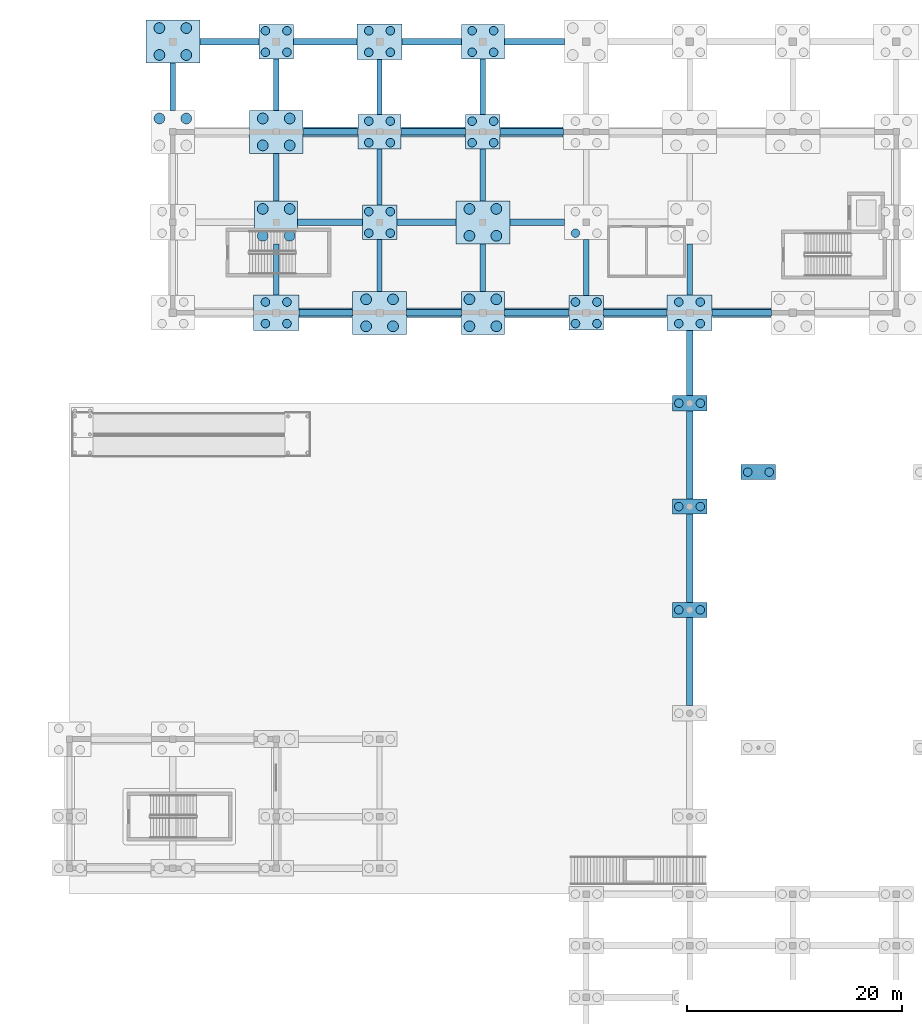
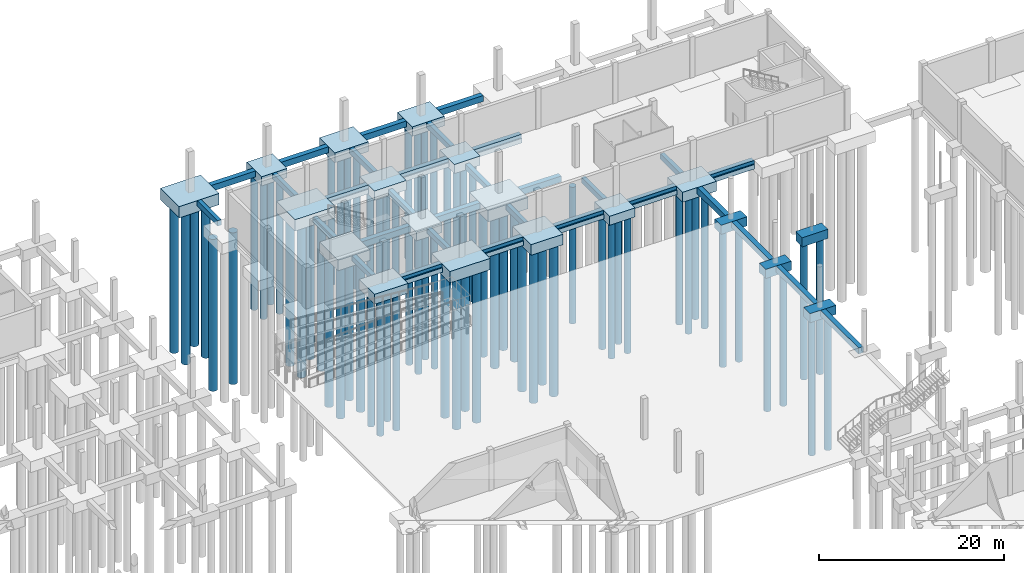
# One storey, part 6 of 41: 71 piles, 58 footings.
"""IFC4 building model written with IfcOpenShell, lengths in metres."""

from ifc_helpers import new_model, si_unit, direction, frame, origin, origin_2d, place, context, subcontext, project, spatial, rectangle, circle, extrude, material, material_profile, profile_set, type_object, element, save


model = new_model("IFC4")

# Units and contexts
model_context = context("Model", 3, precision=1e-05, world=origin(), true_north=direction((0.0, 1.0)))
body_context = subcontext(model_context, "Body", "Model", "MODEL_VIEW")
ifc_project = project(units=[si_unit("LENGTHUNIT", "METRE"), si_unit("AREAUNIT", "SQUARE_METRE"), si_unit("VOLUMEUNIT", "CUBIC_METRE"), si_unit("PLANEANGLEUNIT", "RADIAN"), si_unit("MASSUNIT", "GRAM", prefix="KILO")], contexts=[model_context])

# Site, building, storey
site_placement = place(None, origin())
site = spatial("IfcSite", under=ifc_project, at=site_placement, CompositionType="ELEMENT")
building_placement = place(site_placement, origin())
building = spatial("IfcBuilding", under=site, at=building_placement, Name="Shalvenor Court Art Gallery", CompositionType="ELEMENT")
storey_placement = place(building_placement, frame((0.0, 0.0, -5.39990234375)))
storey = spatial("IfcBuildingStorey", under=building, at=storey_placement, Name="B01", CompositionType="ELEMENT", Elevation=-5.39990234375)

# Footings
ifc_material_1 = material(Name="Concrete C35/45", Category="concrete")
footing_type_1 = type_object("IfcFootingType", Name="GB-01", PredefinedType="FOOTING_BEAM", material=ifc_material_1)
for number, where, z_axis, x_axis, name in (
    (1, (105.60009765625, 64.800048828125, -0.80029296875), (0.0, 0.0, 1.0), (0.0, 1.0, 0.0), "B01 Ground Tie Beam FTG-277"),
    (2, (105.60009765625, 74.39990234375, -0.80029296875), (0.0, 0.0, 1.0), (0.0, 1.0, 0.0), "B01 Ground Tie Beam FTG-278"),
    (3, (105.60009765625, 84.0, -0.80029296875), (0.0, 0.0, 1.0), (0.0, 1.0, 0.0), "B01 Ground Tie Beam FTG-279"),
):
    element("IfcFooting", number, at=place(storey_placement, frame(where, z_axis=z_axis, x_axis=x_axis)), inside=storey, type_object=footing_type_1, Name=name, PredefinedType="FOOTING_BEAM", context=body_context, shape_type="SweptSolid", body=[
        extrude(rectangle(XDim=8.199951171875, YDim=0.60009765625, at=origin_2d()), origin(), (0.0, 0.0, 1.0), 0.800048828125),
    ])
footing_1_placement = place(storey_placement, frame((105.60009765625, 92.52490234375, -0.80029296875), z_axis=(0.0, 0.0, 1.0), x_axis=(0.0, 1.0, 0.0)))
element("IfcFooting", 4, at=footing_1_placement, inside=storey, type_object=footing_type_1, Name="B01 Ground Tie Beam FTG-280", PredefinedType="FOOTING_BEAM", context=body_context, shape_type="SweptSolid", body=[
    extrude(rectangle(XDim=6.050048828125, YDim=0.60009765625, at=origin_2d()), origin(), (0.0, 0.0, 1.0), 0.800048828125),
])
footing_2_placement = place(storey_placement, frame((71.800048828125, 97.199951171875, -0.80029296875), z_axis=(0.0, 0.0, 1.0), x_axis=(1.0, 0.0, 0.0)))
element("IfcFooting", 5, at=footing_2_placement, inside=storey, type_object=footing_type_1, Name="B01 Ground Tie Beam FTG-435", PredefinedType="FOOTING_BEAM", context=body_context, shape_type="SweptSolid", body=[
    extrude(rectangle(XDim=5.0, YDim=0.60009765625, at=origin_2d()), origin(), (0.0, 0.0, 1.0), 0.800048828125),
])
footing_3_placement = place(storey_placement, frame((81.85009765625, 97.199951171875, -0.80029296875), z_axis=(0.0, 0.0, 1.0), x_axis=(1.0, 0.0, 0.0)))
element("IfcFooting", 6, at=footing_3_placement, inside=storey, type_object=footing_type_1, Name="B01 Ground Tie Beam FTG-436", PredefinedType="FOOTING_BEAM", context=body_context, shape_type="SweptSolid", body=[
    extrude(rectangle(XDim=5.10009765625, YDim=0.60009765625, at=origin_2d()), origin(), (0.0, 0.0, 1.0), 0.800048828125),
])
footing_4_placement = place(storey_placement, frame((91.39990234375, 97.199951171875, -0.80029296875), z_axis=(0.0, 0.0, 1.0), x_axis=(1.0, 0.0, 0.0)))
element("IfcFooting", 7, at=footing_4_placement, inside=storey, type_object=footing_type_1, Name="B01 Ground Tie Beam FTG-437", PredefinedType="FOOTING_BEAM", context=body_context, shape_type="SweptSolid", body=[
    extrude(rectangle(XDim=6.0, YDim=0.60009765625, at=origin_2d()), origin(), (0.0, 0.0, 1.0), 0.800048828125),
])
footing_5_placement = place(storey_placement, frame((100.550048828125, 97.199951171875, -0.80029296875), z_axis=(0.0, 0.0, 1.0), x_axis=(1.0, 0.0, 0.0)))
element("IfcFooting", 8, at=footing_5_placement, inside=storey, type_object=footing_type_1, Name="B01 Ground Tie Beam FTG-438", PredefinedType="FOOTING_BEAM", context=body_context, shape_type="SweptSolid", body=[
    extrude(rectangle(XDim=5.89990234375, YDim=0.60009765625, at=origin_2d()), origin(), (0.0, 0.0, 1.0), 0.800048828125),
])
footing_6_placement = place(storey_placement, frame((110.449951171875, 97.199951171875, -0.80029296875), z_axis=(0.0, 0.0, 1.0), x_axis=(1.0, 0.0, 0.0)))
element("IfcFooting", 9, at=footing_6_placement, inside=storey, type_object=footing_type_1, Name="B01 Ground Tie Beam FTG-439", PredefinedType="FOOTING_BEAM", context=body_context, shape_type="SweptSolid", body=[
    extrude(rectangle(XDim=5.5, YDim=0.60009765625, at=origin_2d()), origin(), (0.0, 0.0, 1.0), 0.800048828125),
])
footing_7_placement = place(storey_placement, frame((72.199951171875, 105.60009765625, -1.22021484375), z_axis=(0.0, 0.0, 1.0), x_axis=(1.0, 0.0, 0.0)))
element("IfcFooting", 10, at=footing_7_placement, inside=storey, type_object=footing_type_1, Name="B01 Ground Tie Beam FTG-452", PredefinedType="FOOTING_BEAM", context=body_context, shape_type="SweptSolid", body=[
    extrude(rectangle(XDim=6.0, YDim=0.60009765625, at=origin_2d()), origin(), (0.0, 0.0, 1.0), 0.800048828125),
])
footing_8_placement = place(storey_placement, frame((81.14990234375, 105.60009765625, -1.22021484375), z_axis=(0.0, 0.0, 1.0), x_axis=(1.0, 0.0, 0.0)))
element("IfcFooting", 11, at=footing_8_placement, inside=storey, type_object=footing_type_1, Name="B01 Ground Tie Beam FTG-453", PredefinedType="FOOTING_BEAM", context=body_context, shape_type="SweptSolid", body=[
    extrude(rectangle(XDim=5.5, YDim=0.60009765625, at=origin_2d()), origin(), (0.0, 0.0, 1.0), 0.800048828125),
])
for number, where, z_axis, x_axis, name in (
    (12, (91.449951171875, 105.60009765625, -1.22021484375), (0.0, 0.0, 1.0), (1.0, 0.0, 0.0), "B01 Ground Tie Beam FTG-454"),
    (13, (72.25, 114.0, -0.80029296875), (0.0, 0.0, 1.0), (1.0, 0.0, 0.0), "B01 Ground Tie Beam FTG-459"),
):
    element("IfcFooting", number, at=place(storey_placement, frame(where, z_axis=z_axis, x_axis=x_axis)), inside=storey, type_object=footing_type_1, Name=name, PredefinedType="FOOTING_BEAM", context=body_context, shape_type="SweptSolid", body=[
        extrude(rectangle(XDim=5.10009765625, YDim=0.60009765625, at=origin_2d()), origin(), (0.0, 0.0, 1.0), 0.800048828125),
    ])
footing_9_placement = place(storey_placement, frame((81.800048828125, 114.0, -0.80029296875), z_axis=(0.0, 0.0, 1.0), x_axis=(1.0, 0.0, 0.0)))
element("IfcFooting", 14, at=footing_9_placement, inside=storey, type_object=footing_type_1, Name="B01 Ground Tie Beam FTG-460", PredefinedType="FOOTING_BEAM", context=body_context, shape_type="SweptSolid", body=[
    extrude(rectangle(XDim=6.0, YDim=0.60009765625, at=origin_2d()), origin(), (0.0, 0.0, 1.0), 0.800048828125),
])
footing_10_placement = place(storey_placement, frame((90.949951171875, 114.0, -0.80029296875), z_axis=(0.0, 0.0, 1.0), x_axis=(1.0, 0.0, 0.0)))
element("IfcFooting", 15, at=footing_10_placement, inside=storey, type_object=footing_type_1, Name="B01 Ground Tie Beam FTG-461", PredefinedType="FOOTING_BEAM", context=body_context, shape_type="SweptSolid", body=[
    extrude(rectangle(XDim=5.89990234375, YDim=0.60009765625, at=origin_2d()), origin(), (0.0, 0.0, 1.0), 0.800048828125),
])
footing_11_placement = place(storey_placement, frame((62.85009765625, 122.39990234375, -0.80029296875), z_axis=(0.0, 0.0, 1.0), x_axis=(1.0, 0.0, 0.0)))
element("IfcFooting", 16, at=footing_11_placement, inside=storey, type_object=footing_type_1, Name="B01 Ground Tie Beam FTG-469", PredefinedType="FOOTING_BEAM", context=body_context, shape_type="SweptSolid", body=[
    extrude(rectangle(XDim=5.5, YDim=0.60009765625, at=origin_2d()), origin(), (0.0, 0.0, 1.0), 0.800048828125),
])
footing_12_placement = place(storey_placement, frame((71.75, 122.39990234375, -0.80029296875), z_axis=(0.0, 0.0, 1.0), x_axis=(1.0, 0.0, 0.0)))
element("IfcFooting", 17, at=footing_12_placement, inside=storey, type_object=footing_type_1, Name="B01 Ground Tie Beam FTG-470", PredefinedType="FOOTING_BEAM", context=body_context, shape_type="SweptSolid", body=[
    extrude(rectangle(XDim=5.89990234375, YDim=0.60009765625, at=origin_2d()), origin(), (0.0, 0.0, 1.0), 0.800048828125),
])
footing_13_placement = place(storey_placement, frame((81.64990234375, 122.39990234375, -0.80029296875), z_axis=(0.0, 0.0, 1.0), x_axis=(1.0, 0.0, 0.0)))
element("IfcFooting", 18, at=footing_13_placement, inside=storey, type_object=footing_type_1, Name="B01 Ground Tie Beam FTG-471", PredefinedType="FOOTING_BEAM", context=body_context, shape_type="SweptSolid", body=[
    extrude(rectangle(XDim=5.5, YDim=0.60009765625, at=origin_2d()), origin(), (0.0, 0.0, 1.0), 0.800048828125),
])
footing_14_placement = place(storey_placement, frame((91.199951171875, 122.39990234375, -0.80029296875), z_axis=(0.0, 0.0, 1.0), x_axis=(1.0, 0.0, 0.0)))
element("IfcFooting", 19, at=footing_14_placement, inside=storey, type_object=footing_type_1, Name="B01 Ground Tie Beam FTG-472", PredefinedType="FOOTING_BEAM", context=body_context, shape_type="SweptSolid", body=[
    extrude(rectangle(XDim=5.60009765625, YDim=0.60009765625, at=origin_2d()), origin(), (0.0, 0.0, 1.0), 0.800048828125),
])
ifc_material_2 = material(Name="Concrete C35/45", Category="concrete")
footing_type_2 = type_object("IfcFootingType", Name="GB-02", PredefinedType="FOOTING_BEAM", material=ifc_material_2)
footing_15_placement = place(storey_placement, frame((57.60009765625, 118.199951171875, -0.7001953125), z_axis=(0.0, 0.0, 1.0), x_axis=(0.0, 1.0, 0.0)))
element("IfcFooting", 20, at=footing_15_placement, inside=storey, type_object=footing_type_2, Name="B01 Ground Tie Beam FTG-241", PredefinedType="FOOTING_BEAM", context=body_context, shape_type="SweptSolid", body=[
    extrude(rectangle(XDim=4.39990234375, YDim=0.5, at=origin_2d()), origin(), (0.0, 0.0, 1.0), 0.699951171875),
])
footing_16_placement = place(storey_placement, frame((67.199951171875, 101.22509765625, -1.1201171875), z_axis=(0.0, 0.0, 1.0), x_axis=(0.0, 1.0, 0.0)))
element("IfcFooting", 21, at=footing_16_placement, inside=storey, type_object=footing_type_2, Name="B01 Ground Tie Beam FTG-247", PredefinedType="FOOTING_BEAM", context=body_context, shape_type="SweptSolid", body=[
    extrude(rectangle(XDim=4.75, YDim=0.5, at=origin_2d()), origin(), (0.0, 0.0, 1.0), 0.699951171875),
])
footing_17_placement = place(storey_placement, frame((67.199951171875, 109.800048828125, -1.1201171875), z_axis=(0.0, 0.0, 1.0), x_axis=(0.0, 1.0, 0.0)))
element("IfcFooting", 22, at=footing_17_placement, inside=storey, type_object=footing_type_2, Name="B01 Ground Tie Beam FTG-248", PredefinedType="FOOTING_BEAM", context=body_context, shape_type="SweptSolid", body=[
    extrude(rectangle(XDim=4.39990234375, YDim=0.5, at=origin_2d()), origin(), (0.0, 0.0, 1.0), 0.699951171875),
])
for number, where, z_axis, x_axis, name in (
    (23, (67.199951171875, 118.39990234375, -0.7001953125), (0.0, 0.0, 1.0), (0.0, 1.0, 0.0), "B01 Ground Tie Beam FTG-249"),
    (24, (76.800048828125, 101.60009765625, -1.1201171875), (0.0, 0.0, 1.0), (0.0, 1.0, 0.0), "B01 Ground Tie Beam FTG-252"),
):
    element("IfcFooting", number, at=place(storey_placement, frame(where, z_axis=z_axis, x_axis=x_axis)), inside=storey, type_object=footing_type_2, Name=name, PredefinedType="FOOTING_BEAM", context=body_context, shape_type="SweptSolid", body=[
        extrude(rectangle(XDim=4.800048828125, YDim=0.5, at=origin_2d()), origin(), (0.0, 0.0, 1.0), 0.699951171875),
    ])
footing_18_placement = place(storey_placement, frame((76.800048828125, 109.800048828125, -1.1201171875), z_axis=(0.0, 0.0, 1.0), x_axis=(0.0, 1.0, 0.0)))
element("IfcFooting", 25, at=footing_18_placement, inside=storey, type_object=footing_type_2, Name="B01 Ground Tie Beam FTG-253", PredefinedType="FOOTING_BEAM", context=body_context, shape_type="SweptSolid", body=[
    extrude(rectangle(XDim=5.199951171875, YDim=0.5, at=origin_2d()), origin(), (0.0, 0.0, 1.0), 0.699951171875),
])
footing_19_placement = place(storey_placement, frame((76.800048828125, 118.175048828125, -0.7001953125), z_axis=(0.0, 0.0, 1.0), x_axis=(0.0, 1.0, 0.0)))
element("IfcFooting", 26, at=footing_19_placement, inside=storey, type_object=footing_type_2, Name="B01 Ground Tie Beam FTG-254", PredefinedType="FOOTING_BEAM", context=body_context, shape_type="SweptSolid", body=[
    extrude(rectangle(XDim=5.14990234375, YDim=0.5, at=origin_2d()), origin(), (0.0, 0.0, 1.0), 0.699951171875),
])
footing_20_placement = place(storey_placement, frame((86.39990234375, 101.39990234375, -1.1201171875), z_axis=(0.0, 0.0, 1.0), x_axis=(0.0, 1.0, 0.0)))
element("IfcFooting", 27, at=footing_20_placement, inside=storey, type_object=footing_type_2, Name="B01 Ground Tie Beam FTG-255", PredefinedType="FOOTING_BEAM", context=body_context, shape_type="SweptSolid", body=[
    extrude(rectangle(XDim=4.39990234375, YDim=0.5, at=origin_2d()), origin(), (0.0, 0.0, 1.0), 0.699951171875),
])
footing_21_placement = place(storey_placement, frame((86.39990234375, 110.0, -1.1201171875), z_axis=(0.0, 0.0, 1.0), x_axis=(0.0, 1.0, 0.0)))
element("IfcFooting", 28, at=footing_21_placement, inside=storey, type_object=footing_type_2, Name="B01 Ground Tie Beam FTG-256", PredefinedType="FOOTING_BEAM", context=body_context, shape_type="SweptSolid", body=[
    extrude(rectangle(XDim=4.800048828125, YDim=0.5, at=origin_2d()), origin(), (0.0, 0.0, 1.0), 0.699951171875),
])
for number, where, z_axis, x_axis, name in (
    (29, (86.39990234375, 118.199951171875, -0.7001953125), (0.0, 0.0, 1.0), (0.0, 1.0, 0.0), "B01 Ground Tie Beam FTG-257"),
    (30, (96.0, 101.39990234375, -1.1201171875), (0.0, 0.0, 1.0), (0.0, 1.0, 0.0), "B01 Ground Tie Beam FTG-265"),
):
    element("IfcFooting", number, at=place(storey_placement, frame(where, z_axis=z_axis, x_axis=x_axis)), inside=storey, type_object=footing_type_2, Name=name, PredefinedType="FOOTING_BEAM", context=body_context, shape_type="SweptSolid", body=[
        extrude(rectangle(XDim=5.199951171875, YDim=0.5, at=origin_2d()), origin(), (0.0, 0.0, 1.0), 0.699951171875),
    ])
footing_22_placement = place(storey_placement, frame((105.60009765625, 101.22509765625, -1.1201171875), z_axis=(0.0, 0.0, 1.0), x_axis=(0.0, 1.0, 0.0)))
element("IfcFooting", 31, at=footing_22_placement, inside=storey, type_object=footing_type_2, Name="B01 Ground Tie Beam FTG-281", PredefinedType="FOOTING_BEAM", context=body_context, shape_type="SweptSolid", body=[
    extrude(rectangle(XDim=4.75, YDim=0.5, at=origin_2d()), origin(), (0.0, 0.0, 1.0), 0.699951171875),
])
ifc_material_3 = material(Name="Concrete C35/45", Category="concrete")
footing_type_3 = type_object("IfcFootingType", Name="PC-01", PredefinedType="PILE_CAP", material=ifc_material_3)
for number, where, z_axis, x_axis, name in (
    (32, (105.60009765625, 69.60009765625, -1.2001953125), (0.0, 0.0, 1.0), (1.0, 0.0, 0.0), "B01 Pile Cap FTG-115"),
    (33, (105.60009765625, 79.199951171875, -1.2001953125), (0.0, 0.0, 1.0), (1.0, 0.0, 0.0), "B01 Pile Cap FTG-116"),
    (34, (105.60009765625, 88.800048828125, -1.2001953125), (0.0, 0.0, 1.0), (1.0, 0.0, 0.0), "B01 Pile Cap FTG-117"),
    (35, (112.0, 82.39990234375, -1.2001953125), (0.0, 0.0, 1.0), (1.0, 0.0, 0.0), "B01 Pool Basin Cap FTG-186"),
):
    element("IfcFooting", number, at=place(storey_placement, frame(where, z_axis=z_axis, x_axis=x_axis)), inside=storey, type_object=footing_type_3, Name=name, PredefinedType="PILE_CAP", context=body_context, shape_type="SweptSolid", body=[
        extrude(rectangle(XDim=3.199951171875, YDim=1.39990234375, at=origin_2d()), origin(), (0.0, 0.0, 1.0), 1.199951171875),
    ])
ifc_material_4 = material(Name="Concrete C35/45", Category="concrete")
footing_type_4 = type_object("IfcFootingType", Name="PC-02", PredefinedType="PILE_CAP", material=ifc_material_4)
for number, where, z_axis, x_axis, name in (
    (36, (67.199951171875, 122.39990234375, -1.2001953125), (0.0, 0.0, 1.0), (1.0, 0.0, 0.0), "B01 Pile Cap FTG-081"),
    (37, (76.800048828125, 105.60009765625, -1.6201171875), (0.0, 0.0, 1.0), (1.0, 0.0, 0.0), "B01 Pile Cap FTG-086"),
    (38, (86.39990234375, 114.0, -1.2001953125), (0.0, 0.0, 1.0), (1.0, 0.0, 0.0), "B01 Pile Cap FTG-091"),
    (39, (96.0, 97.199951171875, -1.2001953125), (0.0, 0.0, 1.0), (1.0, 0.0, 0.0), "B01 Pile Cap FTG-101"),
):
    element("IfcFooting", number, at=place(storey_placement, frame(where, z_axis=z_axis, x_axis=x_axis)), inside=storey, type_object=footing_type_4, Name=name, PredefinedType="PILE_CAP", context=body_context, shape_type="SweptSolid", body=[
        extrude(rectangle(XDim=3.199951171875, YDim=3.199951171875, at=origin_2d()), origin(), (0.0, 0.0, 1.0), 1.199951171875),
    ])
ifc_material_5 = material(Name="Concrete C35/45", Category="concrete")
footing_type_5 = type_object("IfcFootingType", Name="PC-03", PredefinedType="PILE_CAP", material=ifc_material_5)
for number, where, z_axis, x_axis, name in (
    (40, (76.800048828125, 114.0, -1.25), (0.0, 0.0, 1.0), (1.0, 0.0, 0.0), "B01 Pile Cap FTG-087"),
    (41, (86.39990234375, 122.39990234375, -1.25), (0.0, 0.0, 1.0), (1.0, 0.0, 0.0), "B01 Pile Cap FTG-092"),
):
    element("IfcFooting", number, at=place(storey_placement, frame(where, z_axis=z_axis, x_axis=x_axis)), inside=storey, type_object=footing_type_5, Name=name, PredefinedType="PILE_CAP", context=body_context, shape_type="SweptSolid", body=[
        extrude(rectangle(XDim=4.0, YDim=3.199951171875, at=origin_2d()), origin(), (0.0, 0.0, 1.0), 1.25),
    ])
ifc_material_6 = material(Name="Concrete C35/45", Category="concrete")
footing_type_6 = type_object("IfcFootingType", Name="PC-04", PredefinedType="PILE_CAP", material=ifc_material_6)
for number, where, z_axis, x_axis, name in (
    (42, (67.199951171875, 97.199951171875, -1.30029296875), (0.0, 0.0, 1.0), (1.0, 0.0, 0.0), "B01 Pile Cap FTG-078"),
    (43, (76.800048828125, 122.39990234375, -1.30029296875), (0.0, 0.0, 1.0), (1.0, 0.0, 0.0), "B01 Pile Cap FTG-088"),
    (44, (105.60009765625, 97.199951171875, -1.30029296875), (0.0, 0.0, 1.0), (1.0, 0.0, 0.0), "B01 Pile Cap FTG-118"),
):
    element("IfcFooting", number, at=place(storey_placement, frame(where, z_axis=z_axis, x_axis=x_axis)), inside=storey, type_object=footing_type_6, Name=name, PredefinedType="PILE_CAP", context=body_context, shape_type="SweptSolid", body=[
        extrude(rectangle(XDim=4.199951171875, YDim=3.300048828125, at=origin_2d()), origin(), (0.0, 0.0, 1.0), 1.300048828125),
    ])
ifc_material_7 = material(Name="Concrete C35/45", Category="concrete")
footing_type_7 = type_object("IfcFootingType", Name="PC-06", PredefinedType="PILE_CAP", material=ifc_material_7)
for number, where, z_axis, x_axis, name in (
    (45, (67.199951171875, 105.60009765625, -1.820068359375), (0.0, 0.0, 1.0), (1.0, 0.0, 0.0), "B01 Pile Cap FTG-079"),
    (46, (86.39990234375, 97.199951171875, -1.400146484375), (0.0, 0.0, 1.0), (1.0, 0.0, 0.0), "B01 Pile Cap FTG-089"),
):
    element("IfcFooting", number, at=place(storey_placement, frame(where, z_axis=z_axis, x_axis=x_axis)), inside=storey, type_object=footing_type_7, Name=name, PredefinedType="PILE_CAP", context=body_context, shape_type="SweptSolid", body=[
        extrude(rectangle(XDim=4.0, YDim=4.0, at=origin_2d()), origin(), (0.0, 0.0, 1.0), 1.39990234375),
    ])
ifc_material_8 = material(Name="Concrete C35/45", Category="concrete")
footing_type_8 = type_object("IfcFootingType", Name="PC-07", PredefinedType="PILE_CAP", material=ifc_material_8)
for number, where, z_axis, x_axis, name in (
    (47, (57.60009765625, 122.39990234375, -1.5), (0.0, 0.0, 1.0), (1.0, 0.0, 0.0), "B01 Pile Cap FTG-070"),
    (48, (67.199951171875, 114.0, -1.5), (0.0, 0.0, 1.0), (1.0, 0.0, 0.0), "B01 Pile Cap FTG-080"),
    (49, (76.800048828125, 97.199951171875, -1.5), (0.0, 0.0, 1.0), (1.0, 0.0, 0.0), "B01 Pile Cap FTG-085"),
    (50, (86.39990234375, 105.60009765625, -1.920166015625), (0.0, 0.0, 1.0), (1.0, 0.0, 0.0), "B01 Pile Cap FTG-090"),
):
    element("IfcFooting", number, at=place(storey_placement, frame(where, z_axis=z_axis, x_axis=x_axis)), inside=storey, type_object=footing_type_8, Name=name, PredefinedType="PILE_CAP", context=body_context, shape_type="SweptSolid", body=[
        extrude(rectangle(XDim=5.0, YDim=4.0, at=origin_2d()), origin(), (0.0, 0.0, 1.0), 1.5),
    ])

# Piles
ifc_material_9 = material(Name="Concrete C35/45", Category="concrete")
ifc_material_profile_1 = material_profile(ifc_material_9, circle(Radius=0.5, at=origin_2d()), Name="PILE 1000")
ifc_profile_set_1 = profile_set([ifc_material_profile_1], Name="Concrete C35/45")
pile_type_1 = type_object("IfcPileType", Name="PL-1000", PredefinedType="BORED", material=ifc_profile_set_1)
for number, where, z_axis, x_axis, name in (
    (51, (56.35009765625, 115.25, -1.300048828125), (0.0, 0.0, -1.0), (1.0, 0.0, 0.0), "B01 Bored Pile PIL-PL-1000-0235"),
    (52, (58.85009765625, 115.25, -1.300048828125), (0.0, 0.0, -1.0), (1.0, 0.0, 0.0), "B01 Bored Pile PIL-PL-1000-0236"),
    (53, (56.35009765625, 121.14990234375, -1.400146484375), (0.0, 0.0, -1.0), (1.0, 0.0, 0.0), "B01 Bored Pile PIL-PL-1000-0237"),
    (54, (58.85009765625, 121.14990234375, -1.400146484375), (0.0, 0.0, -1.0), (1.0, 0.0, 0.0), "B01 Bored Pile PIL-PL-1000-0238"),
    (55, (56.35009765625, 123.64990234375, -1.400146484375), (0.0, 0.0, -1.0), (1.0, 0.0, 0.0), "B01 Bored Pile PIL-PL-1000-0239"),
    (56, (58.85009765625, 123.64990234375, -1.400146484375), (0.0, 0.0, -1.0), (1.0, 0.0, 0.0), "B01 Bored Pile PIL-PL-1000-0240"),
    (57, (65.949951171875, 104.35009765625, -1.72021484375), (0.0, 0.0, -1.0), (1.0, 0.0, 0.0), "B01 Bored Pile PIL-PL-1000-0265"),
    (58, (68.449951171875, 104.35009765625, -1.72021484375), (0.0, 0.0, -1.0), (1.0, 0.0, 0.0), "B01 Bored Pile PIL-PL-1000-0266"),
    (59, (65.949951171875, 106.85009765625, -1.72021484375), (0.0, 0.0, -1.0), (1.0, 0.0, 0.0), "B01 Bored Pile PIL-PL-1000-0267"),
    (60, (68.449951171875, 106.85009765625, -1.72021484375), (0.0, 0.0, -1.0), (1.0, 0.0, 0.0), "B01 Bored Pile PIL-PL-1000-0268"),
    (61, (65.949951171875, 112.75, -1.400146484375), (0.0, 0.0, -1.0), (1.0, 0.0, 0.0), "B01 Bored Pile PIL-PL-1000-0269"),
    (62, (68.449951171875, 112.75, -1.400146484375), (0.0, 0.0, -1.0), (1.0, 0.0, 0.0), "B01 Bored Pile PIL-PL-1000-0270"),
    (63, (65.949951171875, 115.25, -1.400146484375), (0.0, 0.0, -1.0), (1.0, 0.0, 0.0), "B01 Bored Pile PIL-PL-1000-0271"),
    (64, (68.449951171875, 115.25, -1.400146484375), (0.0, 0.0, -1.0), (1.0, 0.0, 0.0), "B01 Bored Pile PIL-PL-1000-0272"),
    (65, (75.550048828125, 95.949951171875, -1.400146484375), (0.0, 0.0, -1.0), (1.0, 0.0, 0.0), "B01 Bored Pile PIL-PL-1000-0283"),
    (66, (78.050048828125, 95.949951171875, -1.400146484375), (0.0, 0.0, -1.0), (1.0, 0.0, 0.0), "B01 Bored Pile PIL-PL-1000-0284"),
    (67, (75.550048828125, 98.449951171875, -1.400146484375), (0.0, 0.0, -1.0), (1.0, 0.0, 0.0), "B01 Bored Pile PIL-PL-1000-0285"),
    (68, (78.050048828125, 98.449951171875, -1.400146484375), (0.0, 0.0, -1.0), (1.0, 0.0, 0.0), "B01 Bored Pile PIL-PL-1000-0286"),
    (69, (85.14990234375, 95.949951171875, -1.300048828125), (0.0, 0.0, -1.0), (1.0, 0.0, 0.0), "B01 Bored Pile PIL-PL-1000-0299"),
    (70, (87.64990234375, 95.949951171875, -1.300048828125), (0.0, 0.0, -1.0), (1.0, 0.0, 0.0), "B01 Bored Pile PIL-PL-1000-0300"),
    (71, (85.14990234375, 98.449951171875, -1.300048828125), (0.0, 0.0, -1.0), (1.0, 0.0, 0.0), "B01 Bored Pile PIL-PL-1000-0301"),
    (72, (87.64990234375, 98.449951171875, -1.300048828125), (0.0, 0.0, -1.0), (1.0, 0.0, 0.0), "B01 Bored Pile PIL-PL-1000-0302"),
    (73, (85.14990234375, 104.35009765625, -1.820068359375), (0.0, 0.0, -1.0), (1.0, 0.0, 0.0), "B01 Bored Pile PIL-PL-1000-0303"),
    (74, (87.64990234375, 104.35009765625, -1.820068359375), (0.0, 0.0, -1.0), (1.0, 0.0, 0.0), "B01 Bored Pile PIL-PL-1000-0304"),
    (75, (85.14990234375, 106.85009765625, -1.820068359375), (0.0, 0.0, -1.0), (1.0, 0.0, 0.0), "B01 Bored Pile PIL-PL-1000-0305"),
    (76, (87.64990234375, 106.85009765625, -1.820068359375), (0.0, 0.0, -1.0), (1.0, 0.0, 0.0), "B01 Bored Pile PIL-PL-1000-0306"),
):
    element("IfcPile", number, at=place(storey_placement, frame(where, z_axis=z_axis, x_axis=x_axis)), inside=storey, type_object=pile_type_1, Name=name, PredefinedType="BORED", context=body_context, shape_type="SweptSolid", body=[
        extrude(circle(Radius=0.5, at=origin_2d()), origin(), (0.0, 0.0, 1.0), 20.0),
    ])
ifc_material_10 = material(Name="Concrete C35/45", Category="concrete")
ifc_material_profile_2 = material_profile(ifc_material_10, circle(Radius=0.39990234375, at=origin_2d()), Name="PILE 800")
ifc_profile_set_2 = profile_set([ifc_material_profile_2], Name="Concrete C35/45")
pile_type_2 = type_object("IfcPileType", Name="PL-800", PredefinedType="BORED", material=ifc_profile_set_2)
for number, where, z_axis, x_axis, name in (
    (77, (66.199951171875, 96.199951171875, -1.2001953125), (0.0, 0.0, -1.0), (1.0, 0.0, 0.0), "B01 Bored Pile PIL-PL-800-0261"),
    (78, (68.199951171875, 96.199951171875, -1.2001953125), (0.0, 0.0, -1.0), (1.0, 0.0, 0.0), "B01 Bored Pile PIL-PL-800-0262"),
    (79, (66.199951171875, 98.199951171875, -1.2001953125), (0.0, 0.0, -1.0), (1.0, 0.0, 0.0), "B01 Bored Pile PIL-PL-800-0263"),
    (80, (68.199951171875, 98.199951171875, -1.2001953125), (0.0, 0.0, -1.0), (1.0, 0.0, 0.0), "B01 Bored Pile PIL-PL-800-0264"),
    (81, (66.199951171875, 121.39990234375, -1.10009765625), (0.0, 0.0, -1.0), (1.0, 0.0, 0.0), "B01 Bored Pile PIL-PL-800-0273"),
    (82, (68.199951171875, 121.39990234375, -1.10009765625), (0.0, 0.0, -1.0), (1.0, 0.0, 0.0), "B01 Bored Pile PIL-PL-800-0274"),
    (83, (66.199951171875, 123.39990234375, -1.10009765625), (0.0, 0.0, -1.0), (1.0, 0.0, 0.0), "B01 Bored Pile PIL-PL-800-0275"),
    (84, (68.199951171875, 123.39990234375, -1.10009765625), (0.0, 0.0, -1.0), (1.0, 0.0, 0.0), "B01 Bored Pile PIL-PL-800-0276"),
    (85, (75.800048828125, 104.60009765625, -1.52001953125), (0.0, 0.0, -1.0), (1.0, 0.0, 0.0), "B01 Bored Pile PIL-PL-800-0287"),
    (86, (77.800048828125, 104.60009765625, -1.52001953125), (0.0, 0.0, -1.0), (1.0, 0.0, 0.0), "B01 Bored Pile PIL-PL-800-0288"),
    (87, (75.800048828125, 106.60009765625, -1.52001953125), (0.0, 0.0, -1.0), (1.0, 0.0, 0.0), "B01 Bored Pile PIL-PL-800-0289"),
    (88, (77.800048828125, 106.60009765625, -1.52001953125), (0.0, 0.0, -1.0), (1.0, 0.0, 0.0), "B01 Bored Pile PIL-PL-800-0290"),
    (89, (75.800048828125, 113.0, -1.150146484375), (0.0, 0.0, -1.0), (1.0, 0.0, 0.0), "B01 Bored Pile PIL-PL-800-0291"),
    (90, (77.800048828125, 113.0, -1.150146484375), (0.0, 0.0, -1.0), (1.0, 0.0, 0.0), "B01 Bored Pile PIL-PL-800-0292"),
    (91, (75.800048828125, 115.0, -1.150146484375), (0.0, 0.0, -1.0), (1.0, 0.0, 0.0), "B01 Bored Pile PIL-PL-800-0293"),
    (92, (77.800048828125, 115.0, -1.150146484375), (0.0, 0.0, -1.0), (1.0, 0.0, 0.0), "B01 Bored Pile PIL-PL-800-0294"),
    (93, (75.800048828125, 121.39990234375, -1.2001953125), (0.0, 0.0, -1.0), (1.0, 0.0, 0.0), "B01 Bored Pile PIL-PL-800-0295"),
    (94, (77.800048828125, 121.39990234375, -1.2001953125), (0.0, 0.0, -1.0), (1.0, 0.0, 0.0), "B01 Bored Pile PIL-PL-800-0296"),
    (95, (75.800048828125, 123.39990234375, -1.2001953125), (0.0, 0.0, -1.0), (1.0, 0.0, 0.0), "B01 Bored Pile PIL-PL-800-0297"),
    (96, (77.800048828125, 123.39990234375, -1.2001953125), (0.0, 0.0, -1.0), (1.0, 0.0, 0.0), "B01 Bored Pile PIL-PL-800-0298"),
    (97, (85.39990234375, 113.0, -1.10009765625), (0.0, 0.0, -1.0), (1.0, 0.0, 0.0), "B01 Bored Pile PIL-PL-800-0307"),
    (98, (87.39990234375, 113.0, -1.10009765625), (0.0, 0.0, -1.0), (1.0, 0.0, 0.0), "B01 Bored Pile PIL-PL-800-0308"),
    (99, (85.39990234375, 115.0, -1.10009765625), (0.0, 0.0, -1.0), (1.0, 0.0, 0.0), "B01 Bored Pile PIL-PL-800-0309"),
    (100, (87.39990234375, 115.0, -1.10009765625), (0.0, 0.0, -1.0), (1.0, 0.0, 0.0), "B01 Bored Pile PIL-PL-800-0310"),
    (101, (85.39990234375, 121.39990234375, -1.150146484375), (0.0, 0.0, -1.0), (1.0, 0.0, 0.0), "B01 Bored Pile PIL-PL-800-0311"),
    (102, (87.39990234375, 121.39990234375, -1.150146484375), (0.0, 0.0, -1.0), (1.0, 0.0, 0.0), "B01 Bored Pile PIL-PL-800-0312"),
    (103, (85.39990234375, 123.39990234375, -1.150146484375), (0.0, 0.0, -1.0), (1.0, 0.0, 0.0), "B01 Bored Pile PIL-PL-800-0313"),
    (104, (87.39990234375, 123.39990234375, -1.150146484375), (0.0, 0.0, -1.0), (1.0, 0.0, 0.0), "B01 Bored Pile PIL-PL-800-0314"),
    (105, (95.0, 96.199951171875, -1.10009765625), (0.0, 0.0, -1.0), (1.0, 0.0, 0.0), "B01 Bored Pile PIL-PL-800-0341"),
    (106, (97.0, 96.199951171875, -1.10009765625), (0.0, 0.0, -1.0), (1.0, 0.0, 0.0), "B01 Bored Pile PIL-PL-800-0342"),
    (107, (95.0, 98.199951171875, -1.10009765625), (0.0, 0.0, -1.0), (1.0, 0.0, 0.0), "B01 Bored Pile PIL-PL-800-0343"),
    (108, (97.0, 98.199951171875, -1.10009765625), (0.0, 0.0, -1.0), (1.0, 0.0, 0.0), "B01 Bored Pile PIL-PL-800-0344"),
    (109, (95.0, 104.60009765625, -1.570068359375), (0.0, 0.0, -1.0), (1.0, 0.0, 0.0), "B01 Bored Pile PIL-PL-800-0345"),
    (110, (104.60009765625, 69.60009765625, -1.10009765625), (0.0, 0.0, -1.0), (1.0, 0.0, 0.0), "B01 Bored Pile PIL-PL-800-0387"),
    (111, (106.60009765625, 69.60009765625, -1.10009765625), (0.0, 0.0, -1.0), (1.0, 0.0, 0.0), "B01 Bored Pile PIL-PL-800-0388"),
    (112, (104.60009765625, 79.199951171875, -1.10009765625), (0.0, 0.0, -1.0), (1.0, 0.0, 0.0), "B01 Bored Pile PIL-PL-800-0389"),
    (113, (106.60009765625, 79.199951171875, -1.10009765625), (0.0, 0.0, -1.0), (1.0, 0.0, 0.0), "B01 Bored Pile PIL-PL-800-0390"),
    (114, (104.60009765625, 88.800048828125, -1.10009765625), (0.0, 0.0, -1.0), (1.0, 0.0, 0.0), "B01 Bored Pile PIL-PL-800-0391"),
    (115, (106.60009765625, 88.800048828125, -1.10009765625), (0.0, 0.0, -1.0), (1.0, 0.0, 0.0), "B01 Bored Pile PIL-PL-800-0392"),
    (116, (104.60009765625, 96.199951171875, -1.2001953125), (0.0, 0.0, -1.0), (1.0, 0.0, 0.0), "B01 Bored Pile PIL-PL-800-0393"),
    (117, (106.60009765625, 96.199951171875, -1.2001953125), (0.0, 0.0, -1.0), (1.0, 0.0, 0.0), "B01 Bored Pile PIL-PL-800-0394"),
    (118, (104.60009765625, 98.199951171875, -1.2001953125), (0.0, 0.0, -1.0), (1.0, 0.0, 0.0), "B01 Bored Pile PIL-PL-800-0395"),
    (119, (106.60009765625, 98.199951171875, -1.2001953125), (0.0, 0.0, -1.0), (1.0, 0.0, 0.0), "B01 Bored Pile PIL-PL-800-0396"),
    (120, (111.0, 82.39990234375, -1.10009765625), (0.0, 0.0, -1.0), (1.0, 0.0, 0.0), "B01 Bored Pile PIL-PL-800-0637"),
    (121, (113.0, 82.39990234375, -1.10009765625), (0.0, 0.0, -1.0), (1.0, 0.0, 0.0), "B01 Bored Pile PIL-PL-800-0638"),
):
    element("IfcPile", number, at=place(storey_placement, frame(where, z_axis=z_axis, x_axis=x_axis)), inside=storey, type_object=pile_type_2, Name=name, PredefinedType="BORED", context=body_context, shape_type="SweptSolid", body=[
        extrude(circle(Radius=0.39990234375, at=origin_2d()), origin(), (0.0, 0.0, 1.0), 18.0),
    ])

# Footings
ifc_material_11 = material(Name="Concrete C35/45", Category="concrete")
footing_type_9 = type_object("IfcFootingType", Name="SF-01", PredefinedType="STRIP_FOOTING", material=ifc_material_11)
footing_23_placement = place(storey_placement, frame((72.25, 114.0, -1.020263671875), z_axis=(0.0, 0.0, 1.0), x_axis=(1.0, 0.0, 0.0)))
element("IfcFooting", 122, at=footing_23_placement, inside=storey, type_object=footing_type_9, Name="B01 Strip Footing FTG-500", PredefinedType="STRIP_FOOTING", context=body_context, shape_type="SweptSolid", body=[
    extrude(rectangle(XDim=5.02001953125, YDim=0.89990234375, at=origin_2d()), origin(), (0.0, 0.0, 1.0), 0.60009765625),
])
footing_24_placement = place(storey_placement, frame((81.800048828125, 114.0, -1.020263671875), z_axis=(0.0, 0.0, 1.0), x_axis=(1.0, 0.0, 0.0)))
element("IfcFooting", 123, at=footing_24_placement, inside=storey, type_object=footing_type_9, Name="B01 Strip Footing FTG-501", PredefinedType="STRIP_FOOTING", context=body_context, shape_type="SweptSolid", body=[
    extrude(rectangle(XDim=5.919921875, YDim=0.89990234375, at=origin_2d()), origin(), (0.0, 0.0, 1.0), 0.60009765625),
])
footing_25_placement = place(storey_placement, frame((90.949951171875, 114.0, -1.020263671875), z_axis=(0.0, 0.0, 1.0), x_axis=(1.0, 0.0, 0.0)))
element("IfcFooting", 124, at=footing_25_placement, inside=storey, type_object=footing_type_9, Name="B01 Strip Footing FTG-502", PredefinedType="STRIP_FOOTING", context=body_context, shape_type="SweptSolid", body=[
    extrude(rectangle(XDim=5.820068359375, YDim=0.89990234375, at=origin_2d()), origin(), (0.0, 0.0, 1.0), 0.60009765625),
])
footing_26_placement = place(storey_placement, frame((110.449951171875, 97.199951171875, -1.020263671875), z_axis=(0.0, 0.0, 1.0), x_axis=(1.0, 0.0, 0.0)))
element("IfcFooting", 125, at=footing_26_placement, inside=storey, type_object=footing_type_9, Name="B01 Strip Footing FTG-509", PredefinedType="STRIP_FOOTING", context=body_context, shape_type="SweptSolid", body=[
    extrude(rectangle(XDim=5.419921875, YDim=0.89990234375, at=origin_2d()), origin(), (0.0, 0.0, 1.0), 0.60009765625),
])
footing_27_placement = place(storey_placement, frame((100.550048828125, 97.199951171875, -1.020263671875), z_axis=(0.0, 0.0, 1.0), x_axis=(1.0, 0.0, 0.0)))
element("IfcFooting", 126, at=footing_27_placement, inside=storey, type_object=footing_type_9, Name="B01 Strip Footing FTG-510", PredefinedType="STRIP_FOOTING", context=body_context, shape_type="SweptSolid", body=[
    extrude(rectangle(XDim=5.820068359375, YDim=0.89990234375, at=origin_2d()), origin(), (0.0, 0.0, 1.0), 0.60009765625),
])
footing_28_placement = place(storey_placement, frame((91.39990234375, 97.199951171875, -1.020263671875), z_axis=(0.0, 0.0, 1.0), x_axis=(1.0, 0.0, 0.0)))
element("IfcFooting", 127, at=footing_28_placement, inside=storey, type_object=footing_type_9, Name="B01 Strip Footing FTG-511", PredefinedType="STRIP_FOOTING", context=body_context, shape_type="SweptSolid", body=[
    extrude(rectangle(XDim=5.919921875, YDim=0.89990234375, at=origin_2d()), origin(), (0.0, 0.0, 1.0), 0.60009765625),
])
footing_29_placement = place(storey_placement, frame((81.85009765625, 97.199951171875, -1.020263671875), z_axis=(0.0, 0.0, 1.0), x_axis=(1.0, 0.0, 0.0)))
element("IfcFooting", 128, at=footing_29_placement, inside=storey, type_object=footing_type_9, Name="B01 Strip Footing FTG-512", PredefinedType="STRIP_FOOTING", context=body_context, shape_type="SweptSolid", body=[
    extrude(rectangle(XDim=5.02001953125, YDim=0.89990234375, at=origin_2d()), origin(), (0.0, 0.0, 1.0), 0.60009765625),
])
footing_30_placement = place(storey_placement, frame((71.800048828125, 97.199951171875, -1.020263671875), z_axis=(0.0, 0.0, 1.0), x_axis=(1.0, 0.0, 0.0)))
element("IfcFooting", 129, at=footing_30_placement, inside=storey, type_object=footing_type_9, Name="B01 Strip Footing FTG-513", PredefinedType="STRIP_FOOTING", context=body_context, shape_type="SweptSolid", body=[
    extrude(rectangle(XDim=4.919921875, YDim=0.89990234375, at=origin_2d()), origin(), (0.0, 0.0, 1.0), 0.60009765625),
])

save(model, "model.ifc")
